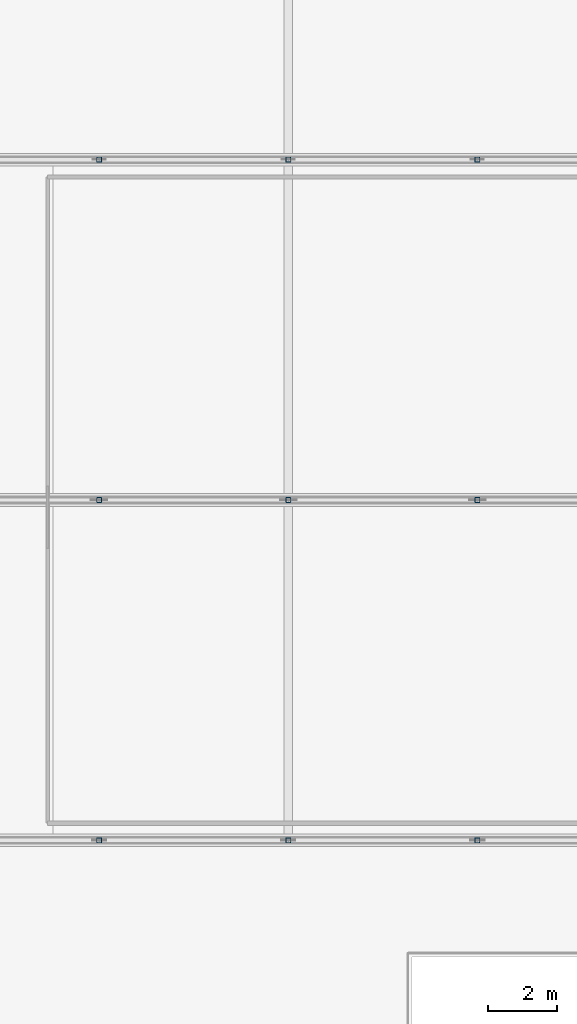
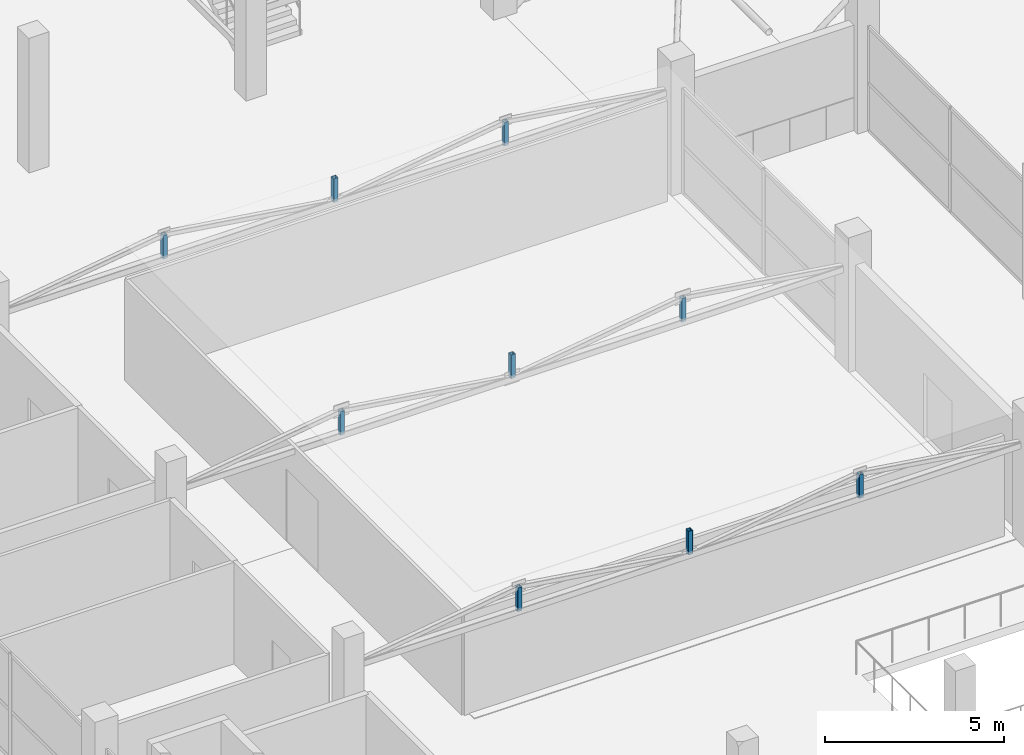
# One storey, part 51 of 69: 9 members.
"""IFC4 building model written with IfcOpenShell, lengths in metres."""

from ifc_helpers import new_model, si_unit, direction, frame, origin, origin_2d, place, context, subcontext, project, spatial, hollow_rectangle, extrude, material, material_profile, profile_set, type_object, element, save


model = new_model("IFC4")

# Units and contexts
model_context = context("Model", 3, precision=1e-05, world=origin(), true_north=direction((0.0, 1.0)))
body_context = subcontext(model_context, "Body", "Model", "MODEL_VIEW")
ifc_project = project(units=[si_unit("LENGTHUNIT", "METRE"), si_unit("AREAUNIT", "SQUARE_METRE"), si_unit("VOLUMEUNIT", "CUBIC_METRE"), si_unit("PLANEANGLEUNIT", "RADIAN"), si_unit("MASSUNIT", "GRAM", prefix="KILO")], contexts=[model_context])

# Site, building, storey
site_placement = place(None, origin())
site = spatial("IfcSite", under=ifc_project, at=site_placement, CompositionType="ELEMENT")
building_placement = place(site_placement, origin())
building = spatial("IfcBuilding", under=site, at=building_placement, Name="Sillaruma Civic Art Gallery", CompositionType="ELEMENT")
storey_placement = place(building_placement, frame((0.0, 0.0, 42.330078125)))
storey = spatial("IfcBuildingStorey", under=building, at=storey_placement, Name="L08", CompositionType="ELEMENT", Elevation=42.330078125)

# Members
ifc_material = material(Name="Structural Steel ASTM A500 Gr.C", Category="steel")
ifc_material_profile = material_profile(ifc_material, hollow_rectangle(XDim=0.14990234375, YDim=0.14990234375, WallThickness=0.010009765625, InnerFilletRadius=0.010009765625, OuterFilletRadius=0.02001953125, at=origin_2d()), Name="HSS150x150x10")
ifc_profile_set = profile_set([ifc_material_profile], Name="Structural Steel ASTM A500 Gr.C")
member_type = type_object("IfcMemberType", Name="MEM-POST-HSS150x150x10", PredefinedType="POST", material=ifc_profile_set)
for number, where, z_axis, x_axis, name in (
    (1, (75.5, 49.5, 3.349853515625), (0.0, 0.0, 1.0), (1.0, 0.0, 0.0), "Warren Truss Vertical Post TR-L08-1-V1"),
    (2, (81.0, 49.5, 3.349853515625), (0.0, 0.0, 1.0), (1.0, 0.0, 0.0), "Warren Truss Vertical Post TR-L08-1-V2"),
    (3, (86.5, 49.5, 3.349853515625), (0.0, 0.0, 1.0), (1.0, 0.0, 0.0), "Warren Truss Vertical Post TR-L08-1-V3"),
    (4, (75.5, 59.39990234375, 3.349853515625), (0.0, 0.0, 1.0), (1.0, 0.0, 0.0), "Warren Truss Vertical Post TR-L08-2-V1"),
    (5, (81.0, 59.39990234375, 3.349853515625), (0.0, 0.0, 1.0), (1.0, 0.0, 0.0), "Warren Truss Vertical Post TR-L08-2-V2"),
    (6, (86.5, 59.39990234375, 3.349853515625), (0.0, 0.0, 1.0), (1.0, 0.0, 0.0), "Warren Truss Vertical Post TR-L08-2-V3"),
    (7, (75.5, 69.300048828125, 3.349853515625), (0.0, 0.0, 1.0), (1.0, 0.0, 0.0), "Warren Truss Vertical Post TR-L08-3-V1"),
    (8, (81.0, 69.300048828125, 3.349853515625), (0.0, 0.0, 1.0), (1.0, 0.0, 0.0), "Warren Truss Vertical Post TR-L08-3-V2"),
    (9, (86.5, 69.300048828125, 3.349853515625), (0.0, 0.0, 1.0), (1.0, 0.0, 0.0), "Warren Truss Vertical Post TR-L08-3-V3"),
):
    element("IfcMember", number, at=place(storey_placement, frame(where, z_axis=z_axis, x_axis=x_axis)), inside=storey, type_object=member_type, Name=name, PredefinedType="POST", context=body_context, shape_type="SweptSolid", body=[
        extrude(hollow_rectangle(XDim=0.14990234375, YDim=0.14990234375, WallThickness=0.010009765625, InnerFilletRadius=0.010009765625, OuterFilletRadius=0.02001953125, at=origin_2d()), origin(), (0.0, 0.0, 1.0), 0.80810546875),
    ])

save(model, "model.ifc")
